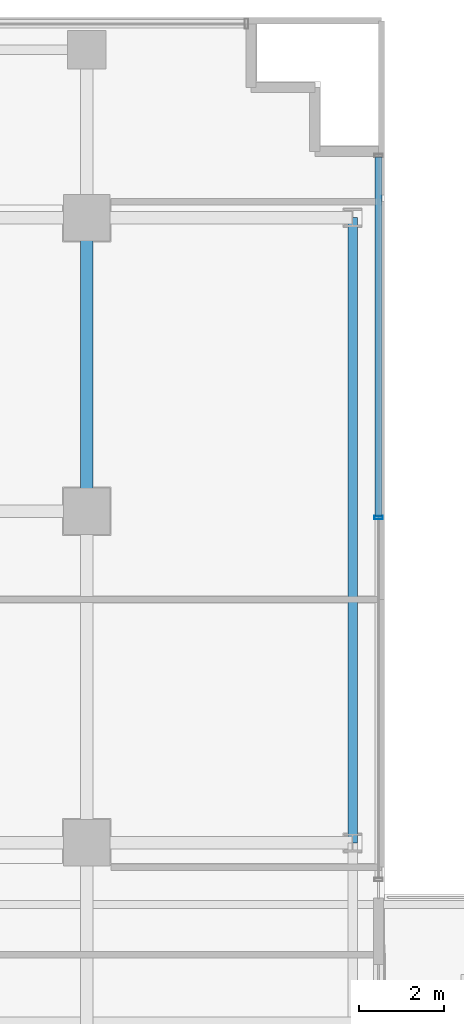
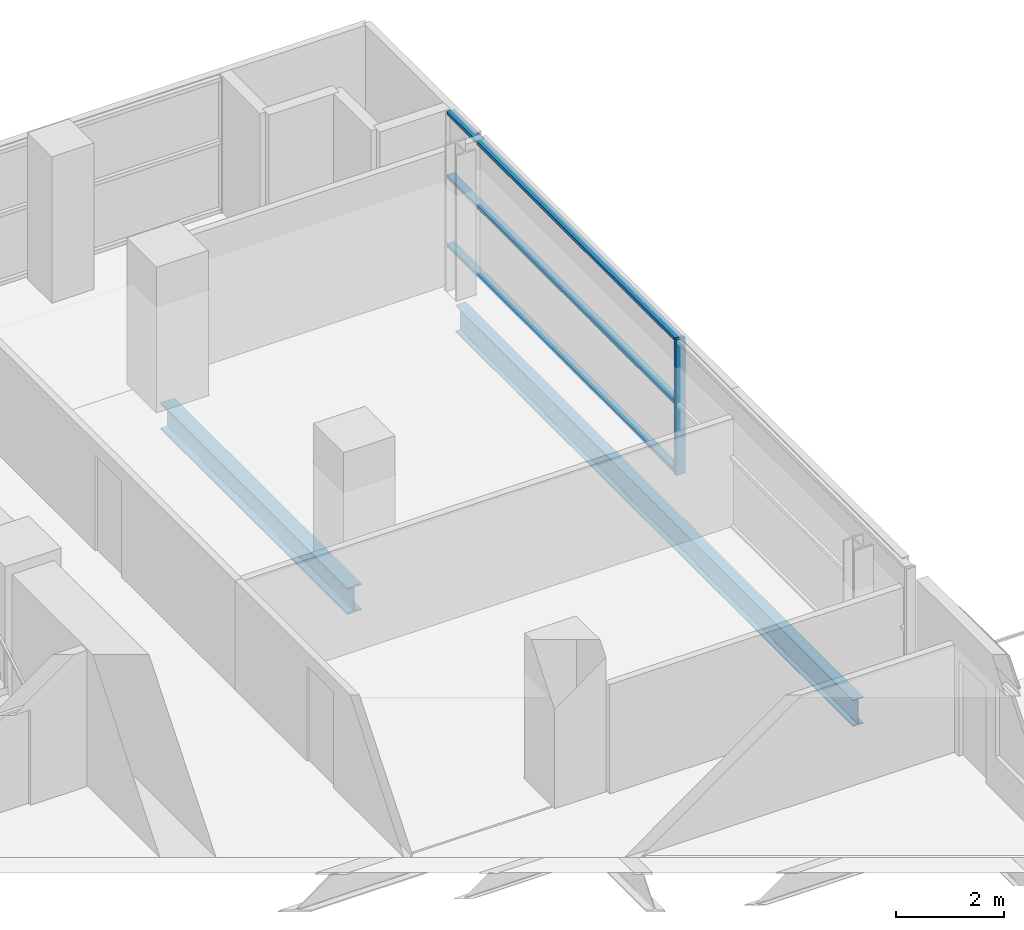
# One storey, part 15 of 30: 4 members, 2 beams, 1 element without a shape of its own.
"""IFC4 building model written with IfcOpenShell, lengths in metres."""

from ifc_helpers import new_model, si_unit, direction, frame, origin, origin_2d, place, context, subcontext, project, spatial, hollow_rectangle, i_section, extrude, source, transform, mapped, material, layer, layer_set, material_profile, profile_set, type_object, element, aggregate, save


model = new_model("IFC4")

# Units and contexts
model_context = context("Model", 3, precision=1e-05, world=origin(), true_north=direction((0.0, 1.0)))
body_context = subcontext(model_context, "Body", "Model", "MODEL_VIEW")
ifc_project = project(units=[si_unit("LENGTHUNIT", "METRE"), si_unit("AREAUNIT", "SQUARE_METRE"), si_unit("VOLUMEUNIT", "CUBIC_METRE"), si_unit("PLANEANGLEUNIT", "RADIAN"), si_unit("MASSUNIT", "GRAM", prefix="KILO")], contexts=[model_context])

# Site, building, storey
site_placement = place(None, origin())
site = spatial("IfcSite", under=ifc_project, at=site_placement, CompositionType="ELEMENT")
building_placement = place(site_placement, origin())
building = spatial("IfcBuilding", under=site, at=building_placement, Name="Zarnakvel Exchange Tower", CompositionType="ELEMENT")
storey_placement = place(building_placement, frame((0.0, 0.0, 30.699951171875)))
storey = spatial("IfcBuildingStorey", under=building, at=storey_placement, Name="L07", CompositionType="ELEMENT", Elevation=30.699951171875)

# Beams
ifc_material_1 = material(Name="Steel S355", Category="steel")
ifc_material_profile_1 = material_profile(ifc_material_1, i_section(OverallWidth=0.300048828125, OverallDepth=0.60009765625, WebThickness=0.015380859375, FlangeThickness=0.030029296875, FilletRadius=0.027099609375, at=origin_2d()))
ifc_profile_set_1 = profile_set([ifc_material_profile_1], Name="Steel S355")
beam_type_1 = type_object("IfcBeamType", Name="G-04", PredefinedType="BEAM", material=ifc_profile_set_1)
beam_1_placement = place(storey_placement, frame((21.60009765625, 6.60009765625, -0.52490234375), z_axis=(0.0, 1.0, 0.0), x_axis=(-1.0, 0.0, 0.0)))
element("IfcBeam", 1, at=beam_1_placement, inside=storey, type_object=beam_type_1, Name="L07 Tower N-S Frame Beam", PredefinedType="BEAM", context=body_context, shape_type="SweptSolid", body=[
    extrude(i_section(OverallWidth=0.300048828125, OverallDepth=0.60009765625, WebThickness=0.015380859375, FlangeThickness=0.030029296875, FilletRadius=0.027099609375, at=origin_2d()), origin(), (0.0, 0.0, 1.0), 6.89990234375),
])
ifc_material_profile_2 = material_profile(ifc_material_1, i_section(OverallWidth=0.219970703125, OverallDepth=0.60009765625, WebThickness=0.011962890625, FlangeThickness=0.01904296875, FilletRadius=0.02392578125, at=origin_2d()))
ifc_profile_set_2 = profile_set([ifc_material_profile_2], Name="Steel S355")
beam_type_2 = type_object("IfcBeamType", Name="SP-01", PredefinedType="SPANDREL", material=ifc_profile_set_2)
beam_2_placement = place(storey_placement, frame((27.85009765625, -1.199951171875, -0.52490234375), z_axis=(0.0, 1.0, 0.0), x_axis=(-1.0, 0.0, 0.0)))
element("IfcBeam", 2, at=beam_2_placement, inside=storey, type_object=beam_type_2, Name="L07 Tower N-S Frame Beam", PredefinedType="SPANDREL", context=body_context, shape_type="SweptSolid", body=[
    extrude(i_section(OverallWidth=0.219970703125, OverallDepth=0.60009765625, WebThickness=0.011962890625, FlangeThickness=0.01904296875, FilletRadius=0.02392578125, at=origin_2d()), origin(), (0.0, 0.0, 1.0), 14.699951171875),
])

# Curtain wall, members
ifc_material_2 = material(Name="Architectural Bronze Anodised Aluminium", Category="aluminium")
ifc_layer = layer(ifc_material_2, 0.199951171875)
ifc_layer_set = layer_set([ifc_layer], Name="Architectural Bronze Anodised Aluminium")
curtain_wall_type = type_object("IfcCurtainWallType", Name="CW-04", PredefinedType="NOTDEFINED", material=ifc_layer_set)
curtain_wall_placement = place(storey_placement, origin())
curtain_wall = element("IfcCurtainWall", 3, at=curtain_wall_placement, inside=storey, type_object=curtain_wall_type, Name="L07 Curtain Wall CW-L07-EN (CW-04)", PredefinedType="NOTDEFINED")
ifc_material_profile_3 = material_profile(ifc_material_2, hollow_rectangle(XDim=0.159912109375, YDim=0.074951171875, WallThickness=0.00390625, at=origin_2d()))
ifc_profile_set_3 = profile_set([ifc_material_profile_3], Name="Architectural Bronze Anodised Aluminium")
member_type_1 = type_object("IfcMemberType", Name="CWT-04", PredefinedType="USERDEFINED", material=ifc_profile_set_3)
shared_shape_1 = source(origin(), body_context, "Body", "SweptSolid", [
    extrude(hollow_rectangle(XDim=0.159912109375, YDim=0.074951171875, WallThickness=0.00390625, at=origin_2d()), origin(), (0.0, 0.0, 1.0), 8.4375),
])
member_1_placement = place(storey_placement, frame((28.4599609375, 6.487548828125, 0.03759765625), z_axis=(0.0, 1.0, 0.0), x_axis=(-1.0, 0.0, 0.0)))
member_1 = element("IfcMember", 4, at=member_1_placement, type_object=member_type_1, Name="CW-04 transom 2.1", ObjectType="TRANSOM", PredefinedType="USERDEFINED", context=body_context, shape_type="MappedRepresentation", body=[
    mapped(shared_shape_1, transform((0.0, 0.0, 0.0), x_axis=(1.0, 0.0, 0.0), y_axis=(0.0, 1.0, 0.0), z_axis=(0.0, 0.0, 1.0), scale=1.0)),
])
member_2_placement = place(storey_placement, frame((28.4599609375, 6.487548828125, 1.588623046875), z_axis=(0.0, 1.0, 0.0), x_axis=(-1.0, 0.0, 0.0)))
member_2 = element("IfcMember", 5, at=member_2_placement, type_object=member_type_1, Name="CW-04 transom 2.2", ObjectType="TRANSOM", PredefinedType="USERDEFINED", context=body_context, shape_type="MappedRepresentation", body=[
    mapped(shared_shape_1, transform((0.0, 0.0, 0.0), x_axis=(1.0, 0.0, 0.0), y_axis=(0.0, 1.0, 0.0), z_axis=(0.0, 0.0, 1.0), scale=1.0)),
])
member_3_placement = place(storey_placement, frame((28.4599609375, 6.487548828125, 3.017578125), z_axis=(0.0, 1.0, 0.0), x_axis=(-1.0, 0.0, 0.0)))
member_3 = element("IfcMember", 6, at=member_3_placement, type_object=member_type_1, Name="CW-04 transom 2.3", ObjectType="TRANSOM", PredefinedType="USERDEFINED", context=body_context, shape_type="MappedRepresentation", body=[
    mapped(shared_shape_1, transform((0.0, 0.0, 0.0), x_axis=(1.0, 0.0, 0.0), y_axis=(0.0, 1.0, 0.0), z_axis=(0.0, 0.0, 1.0), scale=1.0)),
])
ifc_material_profile_4 = material_profile(ifc_material_2, hollow_rectangle(XDim=0.199951171875, YDim=0.074951171875, WallThickness=0.0048828125, at=origin_2d()))
ifc_profile_set_4 = profile_set([ifc_material_profile_4], Name="Architectural Bronze Anodised Aluminium")
member_type_2 = type_object("IfcMemberType", Name="CWM-04", PredefinedType="MULLION", material=ifc_profile_set_4)
shared_shape_2 = source(origin(), body_context, "Body", "SweptSolid", [
    extrude(hollow_rectangle(XDim=0.199951171875, YDim=0.074951171875, WallThickness=0.0048828125, at=origin_2d()), origin(), (0.0, 0.0, 1.0), 3.054931640625),
])
member_4_placement = place(storey_placement, frame((28.4599609375, 6.449951171875, 0.0), z_axis=(0.0, 0.0, 1.0), x_axis=(-1.0, 0.0, 0.0)))
member_4 = element("IfcMember", 7, at=member_4_placement, type_object=member_type_2, Name="CW-04 mullion 2", PredefinedType="MULLION", context=body_context, shape_type="MappedRepresentation", body=[
    mapped(shared_shape_2, transform((0.0, 0.0, 0.0), x_axis=(1.0, 0.0, 0.0), y_axis=(0.0, 1.0, 0.0), z_axis=(0.0, 0.0, 1.0), scale=1.0)),
])
aggregate(curtain_wall, [member_4, member_1, member_2, member_3])

save(model, "model.ifc")
